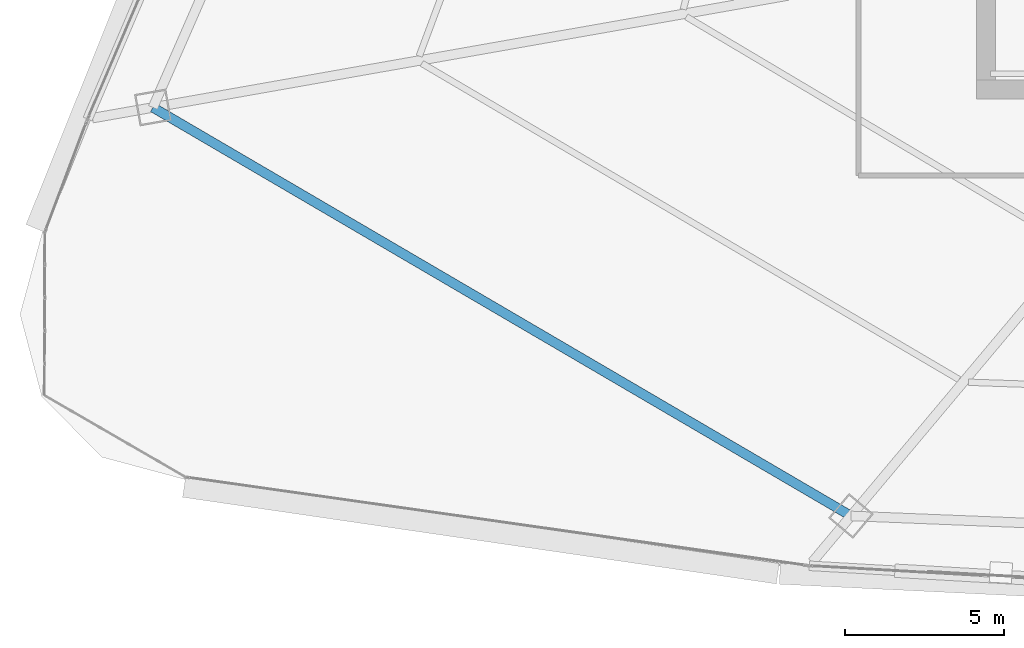
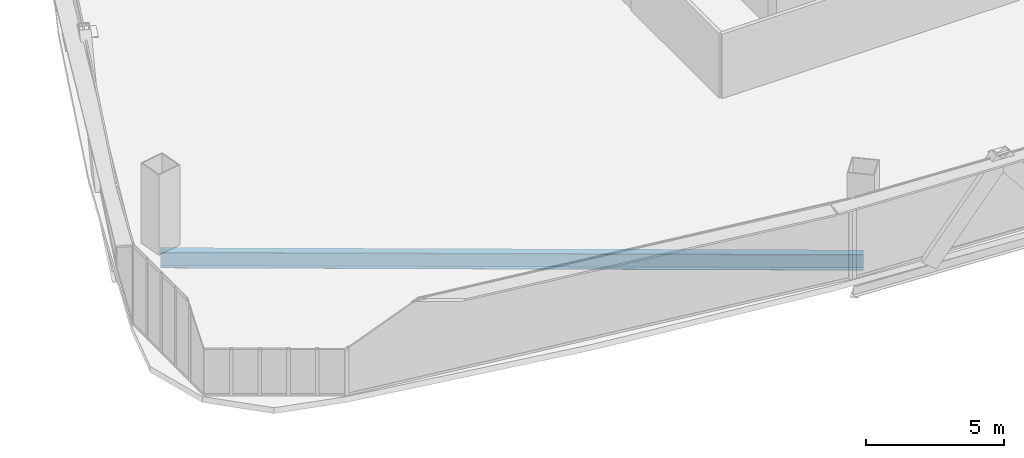
# One storey, part 5 of 39: 1 beam.
"""IFC4 building model written with IfcOpenShell, lengths in metres."""

from ifc_helpers import new_model, si_unit, direction, frame, origin, origin_2d, place, context, subcontext, project, spatial, i_section, extrude, source, transform, mapped, material, material_profile, profile_set, type_object, element, save


model = new_model("IFC4")

# Units and contexts
model_context = context("Model", 3, precision=1e-05, world=origin(), true_north=direction((0.0, 1.0)))
body_context = subcontext(model_context, "Body", "Model", "MODEL_VIEW")
ifc_project = project(units=[si_unit("LENGTHUNIT", "METRE"), si_unit("AREAUNIT", "SQUARE_METRE"), si_unit("VOLUMEUNIT", "CUBIC_METRE"), si_unit("PLANEANGLEUNIT", "RADIAN"), si_unit("MASSUNIT", "GRAM", prefix="KILO"), si_unit("THERMODYNAMICTEMPERATUREUNIT", "KELVIN"), si_unit("POWERUNIT", "WATT")], contexts=[model_context])

# Site, building, storey
site_placement = place(None, origin())
site = spatial("IfcSite", under=ifc_project, at=site_placement, CompositionType="ELEMENT")
building_placement = place(site_placement, origin())
building = spatial("IfcBuilding", under=site, at=building_placement, Name="Yunzhuo Pagoda Commons", CompositionType="ELEMENT")
storey_placement = place(building_placement, frame((0.0, 0.0, 100.179931640625)))
storey = spatial("IfcBuildingStorey", under=building, at=storey_placement, Name="L25", CompositionType="ELEMENT", Elevation=100.179931640625)

# Beam
ifc_material = material(Name="Structural steel Q355B", Category="steel")
ifc_material_profile = material_profile(ifc_material, i_section(OverallWidth=0.300048828125, OverallDepth=0.699951171875, WebThickness=0.012939453125, FlangeThickness=0.02392578125, at=origin_2d()), Name="Structural steel Q355B")
ifc_profile_set = profile_set([ifc_material_profile], Name="Structural steel Q355B")
beam_type = type_object("IfcBeamType", Name="B-RG1 Beam HN 700x300x13x24", PredefinedType="BEAM", material=ifc_profile_set)
shared_shape = source(origin(), body_context, "Body", "SweptSolid", [
    extrude(i_section(OverallWidth=0.300048828125, OverallDepth=0.699951171875, WebThickness=0.012939453125, FlangeThickness=0.02392578125, at=origin_2d()), origin(), (0.0, 0.0, 1.0), 25.3935546875),
])
beam_placement = place(storey_placement, frame((9.647216796875, 26.9375, -0.60986328125), z_axis=(0.863085207128, -0.505058338449, 0.0), x_axis=(0.505058338449, 0.863085207128, 0.0)))
element("IfcBeam", 1, at=beam_placement, inside=storey, type_object=beam_type, Name="L25 column-ring beam 12", PredefinedType="BEAM", context=body_context, shape_type="MappedRepresentation", body=[
    mapped(shared_shape, transform((0.0, 0.0, 0.0), scale=1.0)),
])

save(model, "model.ifc")
